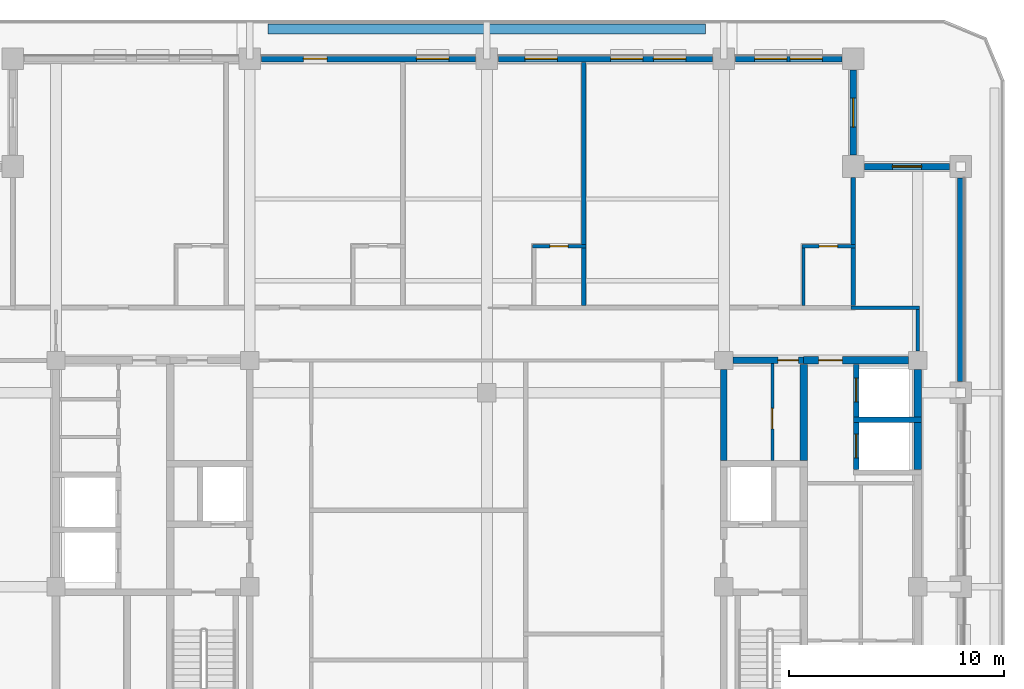
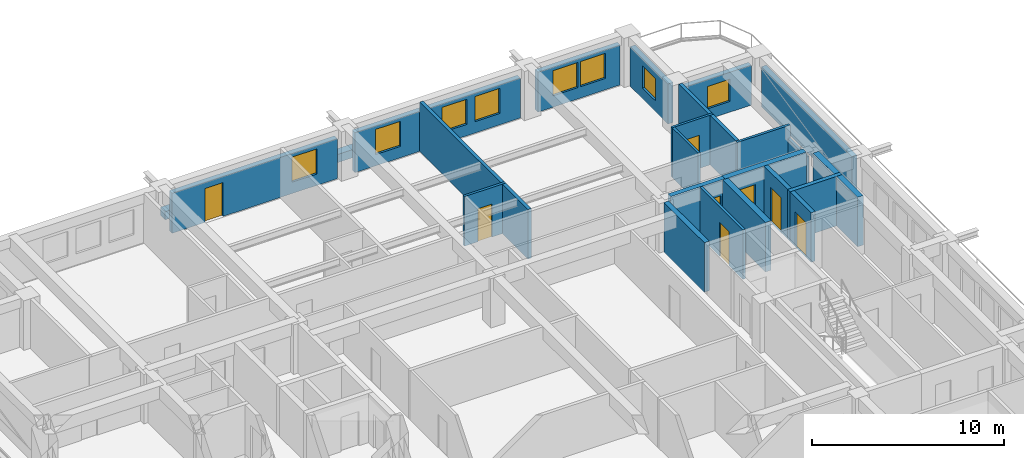
# One storey, part 7 of 15: 26 walls, 8 doors, 8 windows, 16 openings.
"""IFC4 building model written with IfcOpenShell, lengths in metres."""

from ifc_helpers import new_model, si_unit, direction, frame, frame_2d, origin, place, context, subcontext, project, spatial, rectangle, extrude, material, layer, layer_set, type_object, element, fill, save


model = new_model("IFC4")

# Units and contexts
model_context = context("Model", 3, precision=1e-05, world=origin(), true_north=direction((0.0, 1.0)))
body_context = subcontext(model_context, "Body", "Model", "MODEL_VIEW")
ifc_project = project(units=[si_unit("LENGTHUNIT", "METRE"), si_unit("AREAUNIT", "SQUARE_METRE"), si_unit("VOLUMEUNIT", "CUBIC_METRE"), si_unit("PLANEANGLEUNIT", "RADIAN"), si_unit("MASSUNIT", "GRAM", prefix="KILO")], contexts=[model_context])

# Site, building, storey
site_placement = place(None, origin())
site = spatial("IfcSite", under=ifc_project, at=site_placement, CompositionType="ELEMENT")
building_placement = place(site_placement, origin())
building = spatial("IfcBuilding", under=site, at=building_placement, Name="Zulmaris Gate Convention Tower", CompositionType="ELEMENT")
storey_placement = place(building_placement, frame((0.0, 0.0, 201.659912109375)))
storey = spatial("IfcBuildingStorey", under=building, at=storey_placement, Name="L52", CompositionType="ELEMENT", Elevation=201.659912109375)

# Wall
ifc_material_1 = material(Name="Concrete C50/60", Category="concrete")
ifc_layer_1 = layer(ifc_material_1, 0.25, Name="Concrete C50/60")
ifc_layer_set_1 = layer_set([ifc_layer_1], Name="Concrete C50/60")
wall_type_1 = type_object("IfcWallType", Name="CORE-250", PredefinedType="SOLIDWALL", material=ifc_layer_set_1)
wall_1_placement = place(storey_placement, frame((17.02490234375, 7.75, 0.0), z_axis=(0.0, 0.0, 1.0), x_axis=(1.0, 0.0, 0.0)))
element("IfcWall", 1, at=wall_1_placement, inside=storey, type_object=wall_type_1, Name="WL-L52-014", PredefinedType="SOLIDWALL", context=body_context, shape_type="SweptSolid", body=[
    extrude(rectangle(XDim=3.150146484375, YDim=0.25, at=frame_2d((1.5751953125, 0.0))), origin(), (0.0, 0.0, 1.0), 3.150146484375),
])

# Wall, opening, door
wall_2_placement = place(storey_placement, frame((17.14990234375, 5.427001953125, 0.0), z_axis=(0.0, 0.0, 1.0), x_axis=(0.0, 1.0, 0.0)))
wall_2 = element("IfcWall", 2, at=wall_2_placement, inside=storey, type_object=wall_type_1, Name="WL-L52-072", PredefinedType="SOLIDWALL", context=body_context, shape_type="SweptSolid", body=[
    extrude(rectangle(XDim=2.196044921875, YDim=0.25, at=frame_2d((1.09814453125, 0.0))), origin(), (0.0, 0.0, 1.0), 3.150146484375),
])
opening_1_placement = place(wall_2_placement, frame((0.548095703125, 0.0, 0.0)))
opening_1 = element("IfcOpeningElement", 3, at=opening_1_placement, cuts=wall_2, Name="Opening D-06", PredefinedType="OPENING", context=body_context, shape_type="SweptSolid", body=[
    extrude(rectangle(XDim=1.10009765625, YDim=2.199951171875, at=frame_2d((0.550048828125, 1.10009765625))), frame((0.0, 0.135009765625, 0.0), z_axis=(0.0, -1.0, 0.0), x_axis=(1.0, 0.0, 0.0)), (0.0, 0.0, 1.0), 0.27001953125),
])
ifc_material_2 = material(Name="Brushed Stainless Steel", Category="steel")
door_type_1 = type_object("IfcDoorType", Name="LD-1100", OperationType="NOTDEFINED", PredefinedType="DOOR", material=ifc_material_2)
door_1_placement = place(opening_1_placement, origin())
door_1 = element("IfcDoor", 4, at=door_1_placement, inside=storey, type_object=door_type_1, Name="L52 Lift Landing Door HP-01 17", OperationType="SLIDING_TO_RIGHT", OverallHeight=2.199951171875, OverallWidth=1.10009765625, PredefinedType="DOOR", context=body_context, shape_type="SweptSolid", body=[
    extrude(rectangle(XDim=1.10009765625, YDim=2.199951171875, at=frame_2d((0.550048828125, 1.10009765625))), frame((0.0, 0.02490234375, 0.0), z_axis=(0.0, -1.0, 0.0), x_axis=(1.0, 0.0, 0.0)), (0.0, 0.0, 1.0), 0.050048828125),
])
fill(opening_1, door_1)

wall_3_placement = place(storey_placement, frame((17.14990234375, 7.876953125, 0.0), z_axis=(0.0, 0.0, 1.0), x_axis=(0.0, 1.0, 0.0)))
wall_3 = element("IfcWall", 5, at=wall_3_placement, inside=storey, type_object=wall_type_1, Name="WL-L52-073", PredefinedType="SOLIDWALL", context=body_context, shape_type="SweptSolid", body=[
    extrude(rectangle(XDim=2.446044921875, YDim=0.25, at=frame_2d((1.22314453125, 0.0))), origin(), (0.0, 0.0, 1.0), 3.150146484375),
])
opening_2_placement = place(wall_3_placement, frame((0.697998046875, 0.0, 0.0)))
opening_2 = element("IfcOpeningElement", 6, at=opening_2_placement, cuts=wall_3, Name="Opening D-06", PredefinedType="OPENING", context=body_context, shape_type="SweptSolid", body=[
    extrude(rectangle(XDim=1.10009765625, YDim=2.199951171875, at=frame_2d((0.550048828125, 1.10009765625))), frame((0.0, 0.135009765625, 0.0), z_axis=(0.0, -1.0, 0.0), x_axis=(1.0, 0.0, 0.0)), (0.0, 0.0, 1.0), 0.27001953125),
])
door_2_placement = place(opening_2_placement, origin())
door_2 = element("IfcDoor", 7, at=door_2_placement, inside=storey, type_object=door_type_1, Name="L52 Lift Landing Door HP-02 18", OperationType="SLIDING_TO_RIGHT", OverallHeight=2.199951171875, OverallWidth=1.10009765625, PredefinedType="DOOR", context=body_context, shape_type="SweptSolid", body=[
    extrude(rectangle(XDim=1.10009765625, YDim=2.199951171875, at=frame_2d((0.550048828125, 1.10009765625))), frame((0.0, 0.02490234375, 0.0), z_axis=(0.0, -1.0, 0.0), x_axis=(1.0, 0.0, 0.0)), (0.0, 0.0, 1.0), 0.050048828125),
])
fill(opening_2, door_2)

ifc_layer_2 = layer(ifc_material_1, 0.300048828125, Name="Concrete C50/60")
ifc_layer_set_2 = layer_set([ifc_layer_2], Name="Concrete C50/60")
wall_type_2 = type_object("IfcWallType", Name="CORE-300", PredefinedType="SHEAR", material=ifc_layer_set_2)
wall_4_placement = place(storey_placement, frame((11.428955078125, 10.5, 0.0), z_axis=(0.0, 0.0, 1.0), x_axis=(1.0, 0.0, 0.0)))
wall_4 = element("IfcWall", 8, at=wall_4_placement, inside=storey, type_object=wall_type_2, Name="WL-L52-017", PredefinedType="SHEAR", context=body_context, shape_type="SweptSolid", body=[
    extrude(rectangle(XDim=3.27099609375, YDim=0.300048828125, at=frame_2d((1.635498046875, 0.0))), origin(), (0.0, 0.0, 1.0), 3.150146484375),
])
opening_3_placement = place(wall_4_placement, frame((2.075927734375, 0.0, 0.0)))
opening_3 = element("IfcOpeningElement", 9, at=opening_3_placement, cuts=wall_4, Name="Opening D-11", PredefinedType="OPENING", context=body_context, shape_type="SweptSolid", body=[
    extrude(rectangle(XDim=0.949951171875, YDim=2.14990234375, at=frame_2d((0.47509765625, 1.074951171875))), frame((0.0, 0.16015625, 0.0), z_axis=(0.0, -1.0, 0.0), x_axis=(1.0, 0.0, 0.0)), (0.0, 0.0, 1.0), 0.320068359375),
])
ifc_material_3 = material(Name="Fire-Rated Timber", Category="wood")
door_type_2 = type_object("IfcDoorType", Name="DR-950-FD", OperationType="NOTDEFINED", PredefinedType="DOOR", material=ifc_material_3)
door_3_placement = place(opening_3_placement, origin())
door_3 = element("IfcDoor", 10, at=door_3_placement, inside=storey, type_object=door_type_2, Name="L52 Core Linen Closet Door 08", OperationType="SINGLE_SWING_RIGHT", OverallHeight=2.14990234375, OverallWidth=0.949951171875, PredefinedType="DOOR", context=body_context, shape_type="SweptSolid", body=[
    extrude(rectangle(XDim=0.949951171875, YDim=2.14990234375, at=frame_2d((0.47509765625, 1.074951171875))), frame((0.0, 0.02490234375, 0.0), z_axis=(0.0, -1.0, 0.0), x_axis=(1.0, 0.0, 0.0)), (0.0, 0.0, 1.0), 0.050048828125),
])
fill(opening_3, door_3)

# Wall
wall_5_placement = place(storey_placement, frame((11.0, 5.85205078125, 0.0), z_axis=(0.0, 0.0, 1.0), x_axis=(0.0, 1.0, 0.0)))
element("IfcWall", 11, at=wall_5_placement, inside=storey, type_object=wall_type_2, Name="WL-L52-065", PredefinedType="SHEAR", context=body_context, shape_type="SweptSolid", body=[
    extrude(rectangle(XDim=4.218994140625, YDim=0.300048828125, at=frame_2d((2.109375, 0.0))), origin(), (0.0, 0.0, 1.0), 3.150146484375),
])

# Wall, opening, door
ifc_material_4 = material(Name="Concrete C55/67", Category="concrete")
ifc_layer_3 = layer(ifc_material_4, 0.35009765625, Name="Concrete C55/67")
ifc_layer_set_3 = layer_set([ifc_layer_3], Name="Concrete C55/67")
wall_type_3 = type_object("IfcWallType", Name="CORE-350", PredefinedType="SHEAR", material=ifc_layer_set_3)
wall_6_placement = place(storey_placement, frame((14.699951171875, 10.5, 0.0), z_axis=(0.0, 0.0, 1.0), x_axis=(1.0, 0.0, 0.0)))
wall_6 = element("IfcWall", 12, at=wall_6_placement, inside=storey, type_object=wall_type_3, Name="WL-L52-018", PredefinedType="SHEAR", context=body_context, shape_type="SweptSolid", body=[
    extrude(rectangle(XDim=4.87109375, YDim=0.35009765625, at=frame_2d((2.435546875, 0.0))), origin(), (0.0, 0.0, 1.0), 3.150146484375),
])
opening_4_placement = place(wall_6_placement, frame((0.699951171875, 0.0, 0.0)))
opening_4 = element("IfcOpeningElement", 13, at=opening_4_placement, cuts=wall_6, Name="Opening D-08", PredefinedType="OPENING", context=body_context, shape_type="SweptSolid", body=[
    extrude(rectangle(XDim=1.10009765625, YDim=2.14990234375, at=frame_2d((0.550048828125, 1.074951171875))), frame((0.0, 0.18505859375, 0.0), z_axis=(0.0, -1.0, 0.0), x_axis=(1.0, 0.0, 0.0)), (0.0, 0.0, 1.0), 0.3701171875),
])
ifc_material_5 = material(Name="Fire-Rated Steel", Category="steel")
door_type_3 = type_object("IfcDoorType", Name="DR-1100-FD", OperationType="NOTDEFINED", PredefinedType="DOOR", material=ifc_material_5)
door_4_placement = place(opening_4_placement, origin())
door_4 = element("IfcDoor", 14, at=door_4_placement, inside=storey, type_object=door_type_3, Name="L52 High-Rise East Lift Lobby Door 19", OperationType="SINGLE_SWING_LEFT", OverallHeight=2.14990234375, OverallWidth=1.10009765625, PredefinedType="DOOR", context=body_context, shape_type="SweptSolid", body=[
    extrude(rectangle(XDim=1.10009765625, YDim=2.14990234375, at=frame_2d((0.550048828125, 1.074951171875))), frame((0.0, 0.02490234375, 0.0), z_axis=(0.0, -1.0, 0.0), x_axis=(1.0, 0.0, 0.0)), (0.0, 0.0, 1.0), 0.050048828125),
])
fill(opening_4, door_4)

# Walls
wall_7_placement = place(storey_placement, frame((14.699951171875, 5.85205078125, 0.0), z_axis=(0.0, 0.0, 1.0), x_axis=(0.0, 1.0, 0.0)))
element("IfcWall", 15, at=wall_7_placement, inside=storey, type_object=wall_type_3, Name="WL-L52-071", PredefinedType="SHEAR", context=body_context, shape_type="SweptSolid", body=[
    extrude(rectangle(XDim=4.470947265625, YDim=0.35009765625, at=frame_2d((2.2353515625, 0.0))), origin(), (0.0, 0.0, 1.0), 3.150146484375),
])
wall_8_placement = place(storey_placement, frame((20.0, 5.427001953125, 0.0), z_axis=(0.0, 0.0, 1.0), x_axis=(0.0, 1.0, 0.0)))
element("IfcWall", 16, at=wall_8_placement, inside=storey, type_object=wall_type_3, Name="WL-L52-075", PredefinedType="SHEAR", context=body_context, shape_type="SweptSolid", body=[
    extrude(rectangle(XDim=2.196044921875, YDim=0.35009765625, at=frame_2d((1.09814453125, 0.0))), origin(), (0.0, 0.0, 1.0), 3.150146484375),
])
wall_9_placement = place(storey_placement, frame((20.0, 7.876953125, 0.0), z_axis=(0.0, 0.0, 1.0), x_axis=(0.0, 1.0, 0.0)))
element("IfcWall", 17, at=wall_9_placement, inside=storey, type_object=wall_type_3, Name="WL-L52-076", PredefinedType="SHEAR", context=body_context, shape_type="SweptSolid", body=[
    extrude(rectangle(XDim=2.194091796875, YDim=0.35009765625, at=frame_2d((1.09716796875, 0.0))), origin(), (0.0, 0.0, 1.0), 3.150146484375),
])
ifc_material_6 = material(Name="Gypsum Metal Stud Partition")
ifc_layer_4 = layer(ifc_material_6, 0.14990234375, Name="Gypsum Metal Stud Partition")
ifc_layer_set_4 = layer_set([ifc_layer_4], Name="Gypsum Metal Stud Partition")
wall_type_4 = type_object("IfcWallType", Name="PART-150", PredefinedType="PARTITIONING", material=ifc_layer_set_4)
wall_10_placement = place(storey_placement, frame((16.89990234375, 12.949951171875, 0.0), z_axis=(0.0, 0.0, 1.0), x_axis=(1.0, 0.0, 0.0)))
element("IfcWall", 18, at=wall_10_placement, inside=storey, type_object=wall_type_4, Name="WL-L52-040", PredefinedType="PARTITIONING", context=body_context, shape_type="SweptSolid", body=[
    extrude(rectangle(XDim=3.175048828125, YDim=0.14990234375, at=frame_2d((1.58740234375, 0.0))), origin(), (0.0, 0.0, 1.0), 3.150146484375),
])

# Wall, opening, door
wall_11_placement = place(storey_placement, frame((2.125, 15.800048828125, 0.0), z_axis=(0.0, 0.0, 1.0), x_axis=(1.0, 0.0, 0.0)))
wall_11 = element("IfcWall", 19, at=wall_11_placement, inside=storey, type_object=wall_type_4, Name="WL-L52-043", PredefinedType="PARTITIONING", context=body_context, shape_type="SweptSolid", body=[
    extrude(rectangle(XDim=2.47509765625, YDim=0.14990234375, at=frame_2d((1.237548828125, 0.0))), origin(), (0.0, 0.0, 1.0), 3.150146484375),
])
opening_5_placement = place(wall_11_placement, frame((0.800048828125, 0.0, 0.0)))
opening_5 = element("IfcOpeningElement", 20, at=opening_5_placement, cuts=wall_11, Name="Opening D-17", PredefinedType="OPENING", context=body_context, shape_type="SweptSolid", body=[
    extrude(rectangle(XDim=0.85009765625, YDim=2.10009765625, at=frame_2d((0.425048828125, 1.050048828125))), frame((0.0, 0.0849609375, 0.0), z_axis=(0.0, -1.0, 0.0), x_axis=(1.0, 0.0, 0.0)), (0.0, 0.0, 1.0), 0.169921875),
])
ifc_material_7 = material(Name="Moisture-Resistant Hardwood Timber", Category="wood")
door_type_4 = type_object("IfcDoorType", Name="DR-850", OperationType="NOTDEFINED", PredefinedType="DOOR", material=ifc_material_7)
door_5_placement = place(opening_5_placement, origin())
door_5 = element("IfcDoor", 21, at=door_5_placement, inside=storey, type_object=door_type_4, Name="L52 En-Suite Door 33", OperationType="SINGLE_SWING_LEFT", OverallHeight=2.10009765625, OverallWidth=0.85009765625, PredefinedType="DOOR", context=body_context, shape_type="SweptSolid", body=[
    extrude(rectangle(XDim=0.85009765625, YDim=2.10009765625, at=frame_2d((0.425048828125, 1.050048828125))), frame((0.0, 0.02490234375, 0.0), z_axis=(0.0, -1.0, 0.0), x_axis=(1.0, 0.0, 0.0)), (0.0, 0.0, 1.0), 0.050048828125),
])
fill(opening_5, door_5)

wall_12_placement = place(storey_placement, frame((14.625, 15.800048828125, 0.0), z_axis=(0.0, 0.0, 1.0), x_axis=(1.0, 0.0, 0.0)))
wall_12 = element("IfcWall", 22, at=wall_12_placement, inside=storey, type_object=wall_type_4, Name="WL-L52-044", PredefinedType="PARTITIONING", context=body_context, shape_type="SweptSolid", body=[
    extrude(rectangle(XDim=2.47509765625, YDim=0.14990234375, at=frame_2d((1.237548828125, 0.0))), origin(), (0.0, 0.0, 1.0), 3.150146484375),
])
opening_6_placement = place(wall_12_placement, frame((0.800048828125, 0.0, 0.0)))
opening_6 = element("IfcOpeningElement", 23, at=opening_6_placement, cuts=wall_12, Name="Opening D-17", PredefinedType="OPENING", context=body_context, shape_type="SweptSolid", body=[
    extrude(rectangle(XDim=0.85009765625, YDim=2.10009765625, at=frame_2d((0.425048828125, 1.050048828125))), frame((0.0, 0.0849609375, 0.0), z_axis=(0.0, -1.0, 0.0), x_axis=(1.0, 0.0, 0.0)), (0.0, 0.0, 1.0), 0.169921875),
])
door_6_placement = place(opening_6_placement, origin())
door_6 = element("IfcDoor", 24, at=door_6_placement, inside=storey, type_object=door_type_4, Name="L52 En-Suite Door 35", OperationType="SINGLE_SWING_LEFT", OverallHeight=2.10009765625, OverallWidth=0.85009765625, PredefinedType="DOOR", context=body_context, shape_type="SweptSolid", body=[
    extrude(rectangle(XDim=0.85009765625, YDim=2.10009765625, at=frame_2d((0.425048828125, 1.050048828125))), frame((0.0, 0.02490234375, 0.0), z_axis=(0.0, -1.0, 0.0), x_axis=(1.0, 0.0, 0.0)), (0.0, 0.0, 1.0), 0.050048828125),
])
fill(opening_6, door_6)

wall_13_placement = place(storey_placement, frame((13.25, 5.85302734375, 0.0), z_axis=(0.0, 0.0, 1.0), x_axis=(0.0, 1.0, 0.0)))
wall_13 = element("IfcWall", 25, at=wall_13_placement, inside=storey, type_object=wall_type_4, Name="WL-L52-120", PredefinedType="PARTITIONING", context=body_context, shape_type="SweptSolid", body=[
    extrude(rectangle(XDim=4.493896484375, YDim=0.14990234375, at=frame_2d((2.2470703125, 0.0))), origin(), (0.0, 0.0, 1.0), 3.150146484375),
])
opening_7_placement = place(wall_13_placement, frame((1.471923828125, 0.0, 0.0)))
opening_7 = element("IfcOpeningElement", 26, at=opening_7_placement, cuts=wall_13, Name="Opening D-11", PredefinedType="OPENING", context=body_context, shape_type="SweptSolid", body=[
    extrude(rectangle(XDim=0.949951171875, YDim=2.14990234375, at=frame_2d((0.47509765625, 1.074951171875))), frame((0.0, 0.0849609375, 0.0), z_axis=(0.0, -1.0, 0.0), x_axis=(1.0, 0.0, 0.0)), (0.0, 0.0, 1.0), 0.169921875),
])
door_7_placement = place(opening_7_placement, origin())
door_7 = element("IfcDoor", 27, at=door_7_placement, inside=storey, type_object=door_type_2, Name="L52 Core Service Pantry Door 09", OperationType="SINGLE_SWING_LEFT", OverallHeight=2.14990234375, OverallWidth=0.949951171875, PredefinedType="DOOR", context=body_context, shape_type="SweptSolid", body=[
    extrude(rectangle(XDim=0.949951171875, YDim=2.14990234375, at=frame_2d((0.47509765625, 1.074951171875))), frame((0.0, 0.02490234375, 0.0), z_axis=(0.0, -1.0, 0.0), x_axis=(1.0, 0.0, 0.0)), (0.0, 0.0, 1.0), 0.050048828125),
])
fill(opening_7, door_7)

# Walls
wall_14_placement = place(storey_placement, frame((14.699951171875, 13.052978515625, 0.0), z_axis=(0.0, 0.0, 1.0), x_axis=(0.0, 1.0, 0.0)))
element("IfcWall", 28, at=wall_14_placement, inside=storey, type_object=wall_type_4, Name="WL-L52-121", PredefinedType="PARTITIONING", context=body_context, shape_type="SweptSolid", body=[
    extrude(rectangle(XDim=2.6689453125, YDim=0.14990234375, at=frame_2d((1.33447265625, 0.0))), origin(), (0.0, 0.0, 1.0), 3.150146484375),
])
wall_15_placement = place(storey_placement, frame((20.0, 10.930908203125, 0.0), z_axis=(0.0, 0.0, 1.0), x_axis=(0.0, 1.0, 0.0)))
element("IfcWall", 29, at=wall_15_placement, inside=storey, type_object=wall_type_4, Name="WL-L52-128", PredefinedType="PARTITIONING", context=body_context, shape_type="SweptSolid", body=[
    extrude(rectangle(XDim=1.941162109375, YDim=0.14990234375, at=frame_2d((0.970703125, 0.0))), origin(), (0.0, 0.0, 1.0), 2.34228515625),
])
ifc_material_8 = material(Name="Autoclaved Aerated Concrete Block and Plasterboard", Category="concrete")
ifc_layer_5 = layer(ifc_material_8, 0.199951171875, Name="Autoclaved Aerated Concrete Block and Plasterboard")
ifc_layer_set_5 = layer_set([ifc_layer_5], Name="Autoclaved Aerated Concrete Block and Plasterboard")
wall_type_5 = type_object("IfcWallType", Name="PART-200", PredefinedType="PARTITIONING", material=ifc_layer_set_5)
wall_16_placement = place(storey_placement, frame((4.5, 13.052978515625, 0.0), z_axis=(0.0, 0.0, 1.0), x_axis=(0.0, 1.0, 0.0)))
element("IfcWall", 30, at=wall_16_placement, inside=storey, type_object=wall_type_5, Name="WL-L52-112", PredefinedType="PARTITIONING", context=body_context, shape_type="SweptSolid", body=[
    extrude(rectangle(XDim=2.6689453125, YDim=0.199951171875, at=frame_2d((1.33447265625, 0.0))), origin(), (0.0, 0.0, 1.0), 3.150146484375),
])
wall_17_placement = place(storey_placement, frame((4.5, 15.8779296875, 0.0), z_axis=(0.0, 0.0, 1.0), x_axis=(0.0, 1.0, 0.0)))
element("IfcWall", 31, at=wall_17_placement, inside=storey, type_object=wall_type_5, Name="WL-L52-113", PredefinedType="PARTITIONING", context=body_context, shape_type="SweptSolid", body=[
    extrude(rectangle(XDim=8.45703125, YDim=0.199951171875, at=frame_2d((4.228515625, 0.0))), origin(), (0.0, 0.0, 1.0), 3.150146484375),
])
wall_18_placement = place(storey_placement, frame((17.0, 13.052978515625, 0.0), z_axis=(0.0, 0.0, 1.0), x_axis=(0.0, 1.0, 0.0)))
element("IfcWall", 32, at=wall_18_placement, inside=storey, type_object=wall_type_5, Name="WL-L52-123", PredefinedType="PARTITIONING", context=body_context, shape_type="SweptSolid", body=[
    extrude(rectangle(XDim=2.6689453125, YDim=0.199951171875, at=frame_2d((1.33447265625, 0.0))), origin(), (0.0, 0.0, 1.0), 3.150146484375),
])
wall_19_placement = place(storey_placement, frame((17.0, 15.8779296875, 0.0), z_axis=(0.0, 0.0, 1.0), x_axis=(0.0, 1.0, 0.0)))
element("IfcWall", 33, at=wall_19_placement, inside=storey, type_object=wall_type_5, Name="WL-L52-124", PredefinedType="PARTITIONING", context=body_context, shape_type="SweptSolid", body=[
    extrude(rectangle(XDim=3.115966796875, YDim=0.199951171875, at=frame_2d((1.55810546875, 0.0))), origin(), (0.0, 0.0, 1.0), 3.150146484375),
])
ifc_material_9 = material(Name="Botanical Green Glazed Precast Concrete C40/50", Category="concrete")
ifc_layer_6 = layer(ifc_material_9, 0.419921875, Name="Botanical Green Glazed Precast Concrete C40/50")
ifc_layer_set_6 = layer_set([ifc_layer_6], Name="Botanical Green Glazed Precast Concrete C40/50")
wall_type_6 = type_object("IfcWallType", Name="PLANTER-CURB-200", PredefinedType="PARAPET", material=ifc_layer_set_6)
wall_20_placement = place(storey_placement, frame((-10.14990234375, 25.8798828125, -0.0400390625), z_axis=(0.0, 0.0, 1.0), x_axis=(1.0, 0.0, 0.0)))
element("IfcWall", 34, at=wall_20_placement, inside=storey, type_object=wall_type_6, Name="L52 Full-Length Balcony Tree Planter Trough", PredefinedType="PARAPET", context=body_context, shape_type="SweptSolid", body=[
    extrude(rectangle(XDim=20.2998046875, YDim=0.47998046875, at=frame_2d((10.14990234375, 0.0))), origin(), (0.0, 0.0, 1.0), 0.52001953125),
])

# Wall, opening, window
ifc_material_10 = material(Name="Precast concrete C40/50", Category="concrete")
ifc_layer_7 = layer(ifc_material_10, 0.300048828125, Name="Precast concrete C40/50")
ifc_layer_set_7 = layer_set([ifc_layer_7], Name="Precast concrete C40/50")
wall_type_7 = type_object("IfcWallType", Name="PRECAST-PIER-300", PredefinedType="STANDARD", material=ifc_layer_set_7)
wall_21_placement = place(storey_placement, frame((21.469970703125, 19.5, 0.0), z_axis=(0.0, 0.0, 1.0), x_axis=(-1.0, 0.0, 0.0)))
wall_21 = element("IfcWall", 35, at=wall_21_placement, inside=storey, type_object=wall_type_7, Name="EW-L52-NOTCH-NE1_0", PredefinedType="STANDARD", context=body_context, shape_type="SweptSolid", body=[
    extrude(rectangle(XDim=3.93994140625, YDim=0.300048828125, at=frame_2d((1.969970703125, 0.0))), origin(), (0.0, 0.0, 1.0), 2.542236328125),
])
opening_8_placement = place(wall_21_placement, frame((1.294921875, 0.0, 0.679931640625)))
opening_8 = element("IfcOpeningElement", 36, at=opening_8_placement, cuts=wall_21, Name="Opening W-10", PredefinedType="OPENING", context=body_context, shape_type="SweptSolid", body=[
    extrude(rectangle(XDim=1.35009765625, YDim=1.419921875, at=frame_2d((0.675048828125, 0.7099609375))), frame((0.0, 0.16015625, 0.0), z_axis=(0.0, -1.0, 0.0), x_axis=(1.0, 0.0, 0.0)), (0.0, 0.0, 1.0), 0.320068359375),
])
ifc_material_11 = material(Name="Low-E Laminated Double Glazing in Aluminium Frame", Category="aluminium")
window_type_1 = type_object("IfcWindowType", Name="WIN-1350x2000", PartitioningType="SINGLE_PANEL", PredefinedType="WINDOW", material=ifc_material_11)
window_1_placement = place(opening_8_placement, origin())
window_1 = element("IfcWindow", 37, at=window_1_placement, inside=storey, type_object=window_type_1, Name="WN-EW-L52-NOTCH-NE1_0", OverallHeight=1.419921875, OverallWidth=1.35009765625, PartitioningType="SINGLE_PANEL", PredefinedType="WINDOW", context=body_context, shape_type="SweptSolid", body=[
    extrude(rectangle(XDim=1.35009765625, YDim=1.419921875, at=frame_2d((0.675048828125, 0.7099609375))), frame((0.0, 0.030029296875, 0.0), z_axis=(0.0, -1.0, 0.0), x_axis=(1.0, 0.0, 0.0)), (0.0, 0.0, 1.0), 0.06005859375),
])
fill(opening_8, window_1)

wall_22_placement = place(storey_placement, frame((17.0, 20.030029296875, 0.0), z_axis=(0.0, 0.0, 1.0), x_axis=(0.0, 1.0, 0.0)))
wall_22 = element("IfcWall", 38, at=wall_22_placement, inside=storey, type_object=wall_type_7, Name="EW-L52-NOTCH-NE2_0", PredefinedType="STANDARD", context=body_context, shape_type="SweptSolid", body=[
    extrude(rectangle(XDim=3.93994140625, YDim=0.300048828125, at=frame_2d((1.969970703125, 0.0))), origin(), (0.0, 0.0, 1.0), 2.542236328125),
])
opening_9_placement = place(wall_22_placement, frame((1.294921875, 0.0, 0.679931640625)))
opening_9 = element("IfcOpeningElement", 39, at=opening_9_placement, cuts=wall_22, Name="Opening W-10", PredefinedType="OPENING", context=body_context, shape_type="SweptSolid", body=[
    extrude(rectangle(XDim=1.35009765625, YDim=1.419921875, at=frame_2d((0.675048828125, 0.7099609375))), frame((0.0, 0.16015625, 0.0), z_axis=(0.0, -1.0, 0.0), x_axis=(1.0, 0.0, 0.0)), (0.0, 0.0, 1.0), 0.320068359375),
])
window_2_placement = place(opening_9_placement, origin())
window_2 = element("IfcWindow", 40, at=window_2_placement, inside=storey, type_object=window_type_1, Name="WN-EW-L52-NOTCH-NE2_0", OverallHeight=1.419921875, OverallWidth=1.35009765625, PartitioningType="SINGLE_PANEL", PredefinedType="WINDOW", context=body_context, shape_type="SweptSolid", body=[
    extrude(rectangle(XDim=1.35009765625, YDim=1.419921875, at=frame_2d((0.675048828125, 0.7099609375))), frame((0.0, 0.030029296875, 0.0), z_axis=(0.0, -1.0, 0.0), x_axis=(1.0, 0.0, 0.0)), (0.0, 0.0, 1.0), 0.06005859375),
])
fill(opening_9, window_2)

# Wall, openings, door, window
wall_23_placement = place(storey_placement, frame((-0.530029296875, 24.5, 0.0), z_axis=(0.0, 0.0, 1.0), x_axis=(-1.0, 0.0, 0.0)))
wall_23 = element("IfcWall", 41, at=wall_23_placement, inside=storey, type_object=wall_type_7, Name="EW-L52-N-1_0", PredefinedType="STANDARD", context=body_context, shape_type="SweptSolid", body=[
    extrude(rectangle(XDim=9.93994140625, YDim=0.300048828125, at=frame_2d((4.969970703125, 0.0))), origin(), (0.0, 0.0, 1.0), 2.542236328125),
])
opening_10_placement = place(wall_23_placement, frame((6.882080078125, 0.0, 0.0)))
opening_10 = element("IfcOpeningElement", 42, at=opening_10_placement, cuts=wall_23, Name="Opening D-04", PredefinedType="OPENING", context=body_context, shape_type="SweptSolid", body=[
    extrude(rectangle(XDim=1.10009765625, YDim=2.14990234375, at=frame_2d((0.550048828125, 1.074951171875))), frame((0.0, 0.16015625, 0.0), z_axis=(0.0, -1.0, 0.0), x_axis=(1.0, 0.0, 0.0)), (0.0, 0.0, 1.0), 0.320068359375),
])
opening_11_placement = place(wall_23_placement, frame((1.238037109375, 0.0, 0.719970703125)))
opening_11 = element("IfcOpeningElement", 43, at=opening_11_placement, cuts=wall_23, Name="Opening W-03", PredefinedType="OPENING", context=body_context, shape_type="SweptSolid", body=[
    extrude(rectangle(XDim=1.5, YDim=1.60009765625, at=frame_2d((0.75, 0.800048828125))), frame((0.0, 0.16015625, 0.0), z_axis=(0.0, -1.0, 0.0), x_axis=(1.0, 0.0, 0.0)), (0.0, 0.0, 1.0), 0.320068359375),
])
ifc_material_12 = material(Name="Anodised Aluminium and Laminated Glass", Category="aluminium")
door_type_5 = type_object("IfcDoorType", Name="ED-1100", OperationType="SINGLE_SWING_RIGHT", PredefinedType="DOOR", material=ifc_material_12)
door_8_placement = place(opening_10_placement, origin())
door_8 = element("IfcDoor", 44, at=door_8_placement, inside=storey, type_object=door_type_5, Name="L52 N Planted Terrace Door", OperationType="SINGLE_SWING_LEFT", OverallHeight=2.14990234375, OverallWidth=1.10009765625, PredefinedType="DOOR", context=body_context, shape_type="SweptSolid", body=[
    extrude(rectangle(XDim=1.10009765625, YDim=2.14990234375, at=frame_2d((0.550048828125, 1.074951171875))), frame((0.0, 0.02490234375, 0.0), z_axis=(0.0, -1.0, 0.0), x_axis=(1.0, 0.0, 0.0)), (0.0, 0.0, 1.0), 0.050048828125),
])
fill(opening_10, door_8)
window_type_2 = type_object("IfcWindowType", Name="WIN-1500x2100", PartitioningType="SINGLE_PANEL", PredefinedType="WINDOW", material=ifc_material_11)
window_3_placement = place(opening_11_placement, origin())
window_3 = element("IfcWindow", 45, at=window_3_placement, inside=storey, type_object=window_type_2, Name="WN-EW-L52-N-1_0-1", OverallHeight=1.60009765625, OverallWidth=1.5, PartitioningType="SINGLE_PANEL", PredefinedType="WINDOW", context=body_context, shape_type="SweptSolid", body=[
    extrude(rectangle(XDim=1.5, YDim=1.60009765625, at=frame_2d((0.75, 0.800048828125))), frame((0.0, 0.030029296875, 0.0), z_axis=(0.0, -1.0, 0.0), x_axis=(1.0, 0.0, 0.0)), (0.0, 0.0, 1.0), 0.06005859375),
])
fill(opening_11, window_3)

# Wall, openings, windows
wall_24_placement = place(storey_placement, frame((10.469970703125, 24.5, 0.0), z_axis=(0.0, 0.0, 1.0), x_axis=(-1.0, 0.0, 0.0)))
wall_24 = element("IfcWall", 46, at=wall_24_placement, inside=storey, type_object=wall_type_7, Name="EW-L52-N-2_0", PredefinedType="STANDARD", context=body_context, shape_type="SweptSolid", body=[
    extrude(rectangle(XDim=9.93994140625, YDim=0.300048828125, at=frame_2d((4.969970703125, 0.0))), origin(), (0.0, 0.0, 1.0), 2.542236328125),
])
opening_12_placement = place(wall_24_placement, frame((1.238037109375, 0.0, 0.719970703125)))
opening_12 = element("IfcOpeningElement", 47, at=opening_12_placement, cuts=wall_24, Name="Opening W-03", PredefinedType="OPENING", context=body_context, shape_type="SweptSolid", body=[
    extrude(rectangle(XDim=1.5, YDim=1.60009765625, at=frame_2d((0.75, 0.800048828125))), frame((0.0, 0.16015625, 0.0), z_axis=(0.0, -1.0, 0.0), x_axis=(1.0, 0.0, 0.0)), (0.0, 0.0, 1.0), 0.320068359375),
])
opening_13_placement = place(wall_24_placement, frame((3.22607421875, 0.0, 0.719970703125)))
opening_13 = element("IfcOpeningElement", 48, at=opening_13_placement, cuts=wall_24, Name="Opening W-03", PredefinedType="OPENING", context=body_context, shape_type="SweptSolid", body=[
    extrude(rectangle(XDim=1.5, YDim=1.60009765625, at=frame_2d((0.75, 0.800048828125))), frame((0.0, 0.16015625, 0.0), z_axis=(0.0, -1.0, 0.0), x_axis=(1.0, 0.0, 0.0)), (0.0, 0.0, 1.0), 0.320068359375),
])
opening_14_placement = place(wall_24_placement, frame((7.201904296875, 0.0, 0.719970703125)))
opening_14 = element("IfcOpeningElement", 49, at=opening_14_placement, cuts=wall_24, Name="Opening W-03", PredefinedType="OPENING", context=body_context, shape_type="SweptSolid", body=[
    extrude(rectangle(XDim=1.5, YDim=1.60009765625, at=frame_2d((0.75, 0.800048828125))), frame((0.0, 0.16015625, 0.0), z_axis=(0.0, -1.0, 0.0), x_axis=(1.0, 0.0, 0.0)), (0.0, 0.0, 1.0), 0.320068359375),
])
window_4_placement = place(opening_12_placement, origin())
window_4 = element("IfcWindow", 50, at=window_4_placement, inside=storey, type_object=window_type_2, Name="WN-EW-L52-N-2_0-1", OverallHeight=1.60009765625, OverallWidth=1.5, PartitioningType="SINGLE_PANEL", PredefinedType="WINDOW", context=body_context, shape_type="SweptSolid", body=[
    extrude(rectangle(XDim=1.5, YDim=1.60009765625, at=frame_2d((0.75, 0.800048828125))), frame((0.0, 0.030029296875, 0.0), z_axis=(0.0, -1.0, 0.0), x_axis=(1.0, 0.0, 0.0)), (0.0, 0.0, 1.0), 0.06005859375),
])
fill(opening_12, window_4)
window_5_placement = place(opening_13_placement, origin())
window_5 = element("IfcWindow", 51, at=window_5_placement, inside=storey, type_object=window_type_2, Name="WN-EW-L52-N-2_0-2", OverallHeight=1.60009765625, OverallWidth=1.5, PartitioningType="SINGLE_PANEL", PredefinedType="WINDOW", context=body_context, shape_type="SweptSolid", body=[
    extrude(rectangle(XDim=1.5, YDim=1.60009765625, at=frame_2d((0.75, 0.800048828125))), frame((0.0, 0.030029296875, 0.0), z_axis=(0.0, -1.0, 0.0), x_axis=(1.0, 0.0, 0.0)), (0.0, 0.0, 1.0), 0.06005859375),
])
fill(opening_13, window_5)
window_6_placement = place(opening_14_placement, origin())
window_6 = element("IfcWindow", 52, at=window_6_placement, inside=storey, type_object=window_type_2, Name="WN-EW-L52-N-2_0-4", OverallHeight=1.60009765625, OverallWidth=1.5, PartitioningType="SINGLE_PANEL", PredefinedType="WINDOW", context=body_context, shape_type="SweptSolid", body=[
    extrude(rectangle(XDim=1.5, YDim=1.60009765625, at=frame_2d((0.75, 0.800048828125))), frame((0.0, 0.030029296875, 0.0), z_axis=(0.0, -1.0, 0.0), x_axis=(1.0, 0.0, 0.0)), (0.0, 0.0, 1.0), 0.06005859375),
])
fill(opening_14, window_6)

wall_25_placement = place(storey_placement, frame((16.469970703125, 24.5, 0.0), z_axis=(0.0, 0.0, 1.0), x_axis=(-1.0, 0.0, 0.0)))
wall_25 = element("IfcWall", 53, at=wall_25_placement, inside=storey, type_object=wall_type_7, Name="EW-L52-N-3_0", PredefinedType="STANDARD", context=body_context, shape_type="SweptSolid", body=[
    extrude(rectangle(XDim=4.93994140625, YDim=0.300048828125, at=frame_2d((2.469970703125, 0.0))), origin(), (0.0, 0.0, 1.0), 2.542236328125),
])
opening_15_placement = place(wall_25_placement, frame((0.89697265625, 0.0, 0.719970703125)))
opening_15 = element("IfcOpeningElement", 54, at=opening_15_placement, cuts=wall_25, Name="Opening W-03", PredefinedType="OPENING", context=body_context, shape_type="SweptSolid", body=[
    extrude(rectangle(XDim=1.5, YDim=1.60009765625, at=frame_2d((0.75, 0.800048828125))), frame((0.0, 0.16015625, 0.0), z_axis=(0.0, -1.0, 0.0), x_axis=(1.0, 0.0, 0.0)), (0.0, 0.0, 1.0), 0.320068359375),
])
opening_16_placement = place(wall_25_placement, frame((2.54296875, 0.0, 0.719970703125)))
opening_16 = element("IfcOpeningElement", 55, at=opening_16_placement, cuts=wall_25, Name="Opening W-03", PredefinedType="OPENING", context=body_context, shape_type="SweptSolid", body=[
    extrude(rectangle(XDim=1.5, YDim=1.60009765625, at=frame_2d((0.75, 0.800048828125))), frame((0.0, 0.16015625, 0.0), z_axis=(0.0, -1.0, 0.0), x_axis=(1.0, 0.0, 0.0)), (0.0, 0.0, 1.0), 0.320068359375),
])
window_7_placement = place(opening_15_placement, origin())
window_7 = element("IfcWindow", 56, at=window_7_placement, inside=storey, type_object=window_type_2, Name="WN-EW-L52-N-3_0-1", OverallHeight=1.60009765625, OverallWidth=1.5, PartitioningType="SINGLE_PANEL", PredefinedType="WINDOW", context=body_context, shape_type="SweptSolid", body=[
    extrude(rectangle(XDim=1.5, YDim=1.60009765625, at=frame_2d((0.75, 0.800048828125))), frame((0.0, 0.030029296875, 0.0), z_axis=(0.0, -1.0, 0.0), x_axis=(1.0, 0.0, 0.0)), (0.0, 0.0, 1.0), 0.06005859375),
])
fill(opening_15, window_7)
window_8_placement = place(opening_16_placement, origin())
window_8 = element("IfcWindow", 57, at=window_8_placement, inside=storey, type_object=window_type_2, Name="WN-EW-L52-N-3_0-2", OverallHeight=1.60009765625, OverallWidth=1.5, PartitioningType="SINGLE_PANEL", PredefinedType="WINDOW", context=body_context, shape_type="SweptSolid", body=[
    extrude(rectangle(XDim=1.5, YDim=1.60009765625, at=frame_2d((0.75, 0.800048828125))), frame((0.0, 0.030029296875, 0.0), z_axis=(0.0, -1.0, 0.0), x_axis=(1.0, 0.0, 0.0)), (0.0, 0.0, 1.0), 0.06005859375),
])
fill(opening_16, window_8)

# Wall
wall_26_placement = place(storey_placement, frame((22.0, 9.530029296875, 0.0), z_axis=(0.0, 0.0, 1.0), x_axis=(0.0, 1.0, 0.0)))
element("IfcWall", 58, at=wall_26_placement, inside=storey, type_object=wall_type_7, Name="EW-L52-E-3_0", PredefinedType="STANDARD", context=body_context, shape_type="SweptSolid", body=[
    extrude(rectangle(XDim=9.43994140625, YDim=0.300048828125, at=frame_2d((4.719970703125, 0.0))), origin(), (0.0, 0.0, 1.0), 2.542236328125),
])

save(model, "model.ifc")
